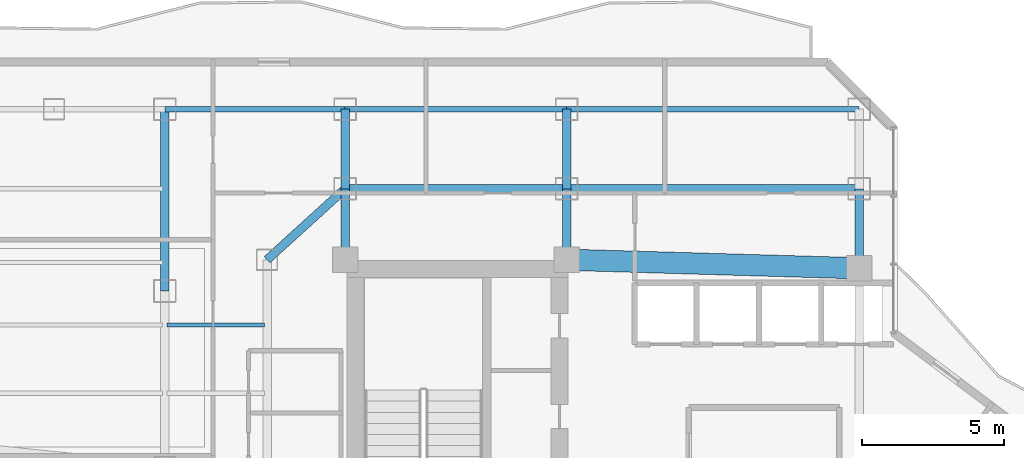
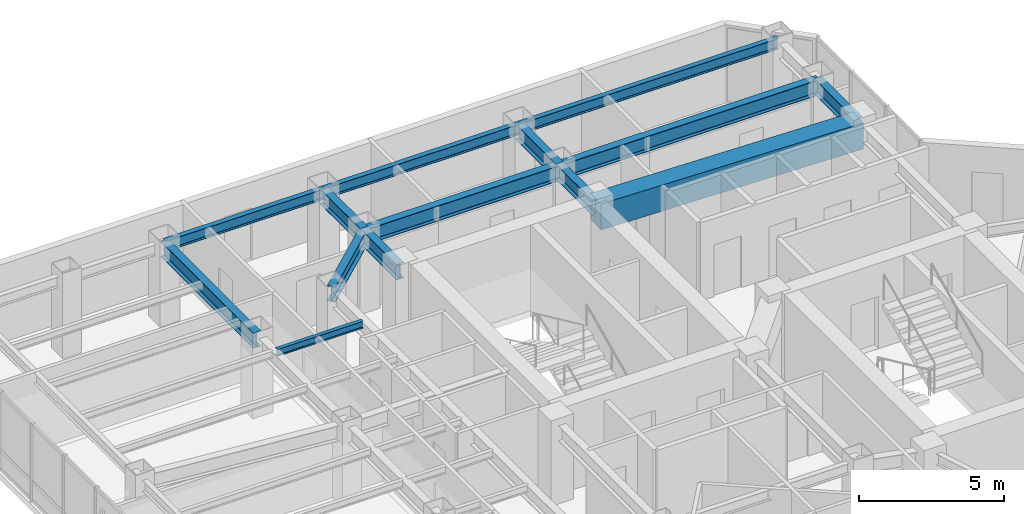
# One storey, part 21 of 29: 14 beams.
"""IFC4 building model written with IfcOpenShell, lengths in metres."""

from ifc_helpers import new_model, si_unit, direction, frame, origin, origin_2d, place, context, subcontext, project, spatial, rectangle, i_section, extrude, material, material_profile, profile_set, type_object, element, save


model = new_model("IFC4")

# Units and contexts
model_context = context("Model", 3, precision=1e-05, world=origin(), true_north=direction((0.0, 1.0)))
body_context = subcontext(model_context, "Body", "Model", "MODEL_VIEW")
ifc_project = project(units=[si_unit("LENGTHUNIT", "METRE"), si_unit("AREAUNIT", "SQUARE_METRE"), si_unit("VOLUMEUNIT", "CUBIC_METRE"), si_unit("PLANEANGLEUNIT", "RADIAN"), si_unit("MASSUNIT", "GRAM", prefix="KILO")], contexts=[model_context])

# Site, building, storey
site_placement = place(None, origin())
site = spatial("IfcSite", under=ifc_project, at=site_placement, CompositionType="ELEMENT")
building_placement = place(site_placement, origin())
building = spatial("IfcBuilding", under=site, at=building_placement, Name="Hatsunagi Terrace Concourse", CompositionType="ELEMENT")
storey_placement = place(building_placement, frame((0.0, 0.0, 178.050048828125)))
storey = spatial("IfcBuildingStorey", under=building, at=storey_placement, Name="L47", CompositionType="ELEMENT", Elevation=178.050048828125)

# Beams
ifc_material_1 = material(Name="Concrete Fc48", Category="concrete")
ifc_material_profile_1 = material_profile(ifc_material_1, rectangle(XDim=0.75, YDim=1.10009765625, at=origin_2d()), Name="RC-750x1100")
ifc_profile_set_1 = profile_set([ifc_material_profile_1], Name="Concrete Fc48")
beam_type_1 = type_object("IfcBeamType", Name="CoreCouplingBeam_RC_750x1100", PredefinedType="BEAM", material=ifc_profile_set_1)
beam_1_placement = place(storey_placement, frame((33.35009765625, 43.300048828125, 2.75), z_axis=(0.999575947545, -0.029119153303, 0.0), x_axis=(0.029119153303, 0.999575947545, 0.0)))
element("IfcBeam", 1, at=beam_1_placement, inside=storey, type_object=beam_type_1, Name="Beam CB-02 CB-L47-2", PredefinedType="BEAM", context=body_context, shape_type="SweptSolid", body=[
    extrude(rectangle(XDim=0.75, YDim=1.10009765625, at=origin_2d()), origin(), (0.0, 0.0, 1.0), 10.30419921875),
])
ifc_material_2 = material(Name="Steel SN490B", Category="steel")
ifc_material_profile_2 = material_profile(ifc_material_2, i_section(OverallWidth=0.14990234375, OverallDepth=0.300048828125, WebThickness=0.006591796875, FlangeThickness=0.009033203125, FilletRadius=0.010986328125, at=origin_2d()), Name="H-300x150x6.5x9")
ifc_profile_set_2 = profile_set([ifc_material_profile_2], Name="Steel SN490B")
beam_type_2 = type_object("IfcBeamType", Name="OfficeJoist_H_300x150", PredefinedType="JOIST", material=ifc_profile_set_2)
beam_2_placement = place(storey_placement, frame((19.284912109375, 41.0, 3.14990234375), z_axis=(1.0, 0.0, 0.0), x_axis=(0.0, 1.0, 0.0)))
element("IfcBeam", 2, at=beam_2_placement, inside=storey, type_object=beam_type_2, Name="Beam J-03 J-L47-W-19-410", PredefinedType="JOIST", context=body_context, shape_type="SweptSolid", body=[
    extrude(i_section(OverallWidth=0.14990234375, OverallDepth=0.300048828125, WebThickness=0.006591796875, FlangeThickness=0.009033203125, FilletRadius=0.010986328125, at=origin_2d()), origin(), (0.0, 0.0, 1.0), 3.43017578125),
])
ifc_material_3 = material(Name="Steel SN490B", Category="steel")
ifc_material_profile_3 = material_profile(ifc_material_3, i_section(OverallWidth=0.300048828125, OverallDepth=0.64990234375, WebThickness=0.012939453125, FlangeThickness=0.02197265625, FilletRadius=0.01806640625, at=origin_2d()), Name="H-650x300x13x22")
ifc_profile_set_3 = profile_set([ifc_material_profile_3], Name="Steel SN490B")
beam_type_3 = type_object("IfcBeamType", Name="OfficeLowGirder_H_650x300", PredefinedType="BEAM", material=ifc_profile_set_3)
for number, where, z_axis, x_axis, name in (
    (3, (25.550048828125, 43.300048828125, 2.974853515625), (0.0, 1.0, 0.0), (-1.0, 0.0, 0.0), "Beam G-05 BM-L47-CN1"),
    (4, (33.35009765625, 43.300048828125, 2.974853515625), (0.0, 1.0, 0.0), (-1.0, 0.0, 0.0), "Beam G-05 BM-L47-CN2"),
):
    element("IfcBeam", number, at=place(storey_placement, frame(where, z_axis=z_axis, x_axis=x_axis)), inside=storey, type_object=beam_type_3, Name=name, PredefinedType="BEAM", context=body_context, shape_type="SweptSolid", body=[
        extrude(i_section(OverallWidth=0.300048828125, OverallDepth=0.64990234375, WebThickness=0.012939453125, FlangeThickness=0.02197265625, FilletRadius=0.01806640625, at=origin_2d()), origin(), (0.0, 0.0, 1.0), 2.5),
    ])
beam_3_placement = place(storey_placement, frame((43.64990234375, 43.0, 2.974853515625), z_axis=(0.0, 1.0, 0.0), x_axis=(-1.0, 0.0, 0.0)))
element("IfcBeam", 5, at=beam_3_placement, inside=storey, type_object=beam_type_3, Name="Beam G-05 BM-L47-CN3", PredefinedType="BEAM", context=body_context, shape_type="SweptSolid", body=[
    extrude(i_section(OverallWidth=0.300048828125, OverallDepth=0.64990234375, WebThickness=0.012939453125, FlangeThickness=0.02197265625, FilletRadius=0.01806640625, at=origin_2d()), origin(), (0.0, 0.0, 1.0), 2.800048828125),
])
beam_4_placement = place(storey_placement, frame((25.550048828125, 45.800048828125, 2.974853515625), z_axis=(1.0, 0.0, 0.0), x_axis=(0.0, 1.0, 0.0)))
element("IfcBeam", 6, at=beam_4_placement, inside=storey, type_object=beam_type_3, Name="Beam G-05 BM-L47-CNEW1", PredefinedType="BEAM", context=body_context, shape_type="SweptSolid", body=[
    extrude(i_section(OverallWidth=0.300048828125, OverallDepth=0.64990234375, WebThickness=0.012939453125, FlangeThickness=0.02197265625, FilletRadius=0.01806640625, at=origin_2d()), origin(), (0.0, 0.0, 1.0), 7.800048828125),
])
beam_5_placement = place(storey_placement, frame((33.35009765625, 45.800048828125, 2.974853515625), z_axis=(1.0, 0.0, 0.0), x_axis=(0.0, 1.0, 0.0)))
element("IfcBeam", 7, at=beam_5_placement, inside=storey, type_object=beam_type_3, Name="Beam G-05 BM-L47-CNEW2", PredefinedType="BEAM", context=body_context, shape_type="SweptSolid", body=[
    extrude(i_section(OverallWidth=0.300048828125, OverallDepth=0.64990234375, WebThickness=0.012939453125, FlangeThickness=0.02197265625, FilletRadius=0.01806640625, at=origin_2d()), origin(), (0.0, 0.0, 1.0), 10.2998046875),
])
for number, where, z_axis, x_axis, name in (
    (8, (25.550048828125, 45.800048828125, 2.974853515625), (0.0, 1.0, 0.0), (-1.0, 0.0, 0.0), "Beam G-05 BM-L47-KN-WN4"),
    (9, (33.35009765625, 45.800048828125, 2.974853515625), (0.0, 1.0, 0.0), (-1.0, 0.0, 0.0), "Beam G-05 BM-L47-KN-WN5"),
):
    element("IfcBeam", number, at=place(storey_placement, frame(where, z_axis=z_axis, x_axis=x_axis)), inside=storey, type_object=beam_type_3, Name=name, PredefinedType="BEAM", context=body_context, shape_type="SweptSolid", body=[
        extrude(i_section(OverallWidth=0.300048828125, OverallDepth=0.64990234375, WebThickness=0.012939453125, FlangeThickness=0.02197265625, FilletRadius=0.01806640625, at=origin_2d()), origin(), (0.0, 0.0, 1.0), 2.800048828125),
    ])
beam_6_placement = place(storey_placement, frame((22.800048828125, 43.300048828125, 2.974853515625), z_axis=(0.739940073396, 0.672672793996, 0.0), x_axis=(-0.672672793996, 0.739940073396, 0.0)))
element("IfcBeam", 10, at=beam_6_placement, inside=storey, type_object=beam_type_3, Name="Beam G-05 BM-L47-CWEW-N", PredefinedType="BEAM", context=body_context, shape_type="SweptSolid", body=[
    extrude(i_section(OverallWidth=0.300048828125, OverallDepth=0.64990234375, WebThickness=0.012939453125, FlangeThickness=0.02197265625, FilletRadius=0.01806640625, at=origin_2d()), origin(), (0.0, 0.0, 1.0), 3.716552734375),
])
beam_7_placement = place(storey_placement, frame((19.199951171875, 42.199951171875, 2.974853515625), z_axis=(0.0, 1.0, 0.0), x_axis=(-1.0, 0.0, 0.0)))
element("IfcBeam", 11, at=beam_7_placement, inside=storey, type_object=beam_type_3, Name="Beam G-05 BM-L47-NS-19-42", PredefinedType="BEAM", context=body_context, shape_type="SweptSolid", body=[
    extrude(i_section(OverallWidth=0.300048828125, OverallDepth=0.64990234375, WebThickness=0.012939453125, FlangeThickness=0.02197265625, FilletRadius=0.01806640625, at=origin_2d()), origin(), (0.0, 0.0, 1.0), 6.400146484375),
])
ifc_material_4 = material(Name="Steel SN490B", Category="steel")
ifc_material_profile_4 = material_profile(ifc_material_4, i_section(OverallWidth=0.199951171875, OverallDepth=0.449951171875, WebThickness=0.009033203125, FlangeThickness=0.013916015625, FilletRadius=0.01611328125, at=origin_2d()), Name="H-450x200x9x14")
ifc_profile_set_4 = profile_set([ifc_material_profile_4], Name="Steel SN490B")
beam_type_4 = type_object("IfcBeamType", Name="PerimeterSpandrel_H_450x200", PredefinedType="SPANDREL", material=ifc_profile_set_4)
beam_8_placement = place(storey_placement, frame((19.199951171875, 48.60009765625, 3.074951171875), z_axis=(1.0, 0.0, 0.0), x_axis=(0.0, 1.0, 0.0)))
element("IfcBeam", 12, at=beam_8_placement, inside=storey, type_object=beam_type_4, Name="Beam SP-02 BM-L47-WN-19", PredefinedType="SPANDREL", context=body_context, shape_type="SweptSolid", body=[
    extrude(i_section(OverallWidth=0.199951171875, OverallDepth=0.449951171875, WebThickness=0.009033203125, FlangeThickness=0.013916015625, FilletRadius=0.01611328125, at=origin_2d()), origin(), (0.0, 0.0, 1.0), 6.35009765625),
])
beam_9_placement = place(storey_placement, frame((25.550048828125, 48.60009765625, 3.074951171875), z_axis=(1.0, 0.0, 0.0), x_axis=(0.0, 1.0, 0.0)))
element("IfcBeam", 13, at=beam_9_placement, inside=storey, type_object=beam_type_4, Name="Beam SP-02 BM-L47-WN-25", PredefinedType="SPANDREL", context=body_context, shape_type="SweptSolid", body=[
    extrude(i_section(OverallWidth=0.199951171875, OverallDepth=0.449951171875, WebThickness=0.009033203125, FlangeThickness=0.013916015625, FilletRadius=0.01611328125, at=origin_2d()), origin(), (0.0, 0.0, 1.0), 7.800048828125),
])
beam_10_placement = place(storey_placement, frame((33.35009765625, 48.60009765625, 3.074951171875), z_axis=(1.0, 0.0, 0.0), x_axis=(0.0, 1.0, 0.0)))
element("IfcBeam", 14, at=beam_10_placement, inside=storey, type_object=beam_type_4, Name="Beam SP-02 BM-L47-WN-33", PredefinedType="SPANDREL", context=body_context, shape_type="SweptSolid", body=[
    extrude(i_section(OverallWidth=0.199951171875, OverallDepth=0.449951171875, WebThickness=0.009033203125, FlangeThickness=0.013916015625, FilletRadius=0.01611328125, at=origin_2d()), origin(), (0.0, 0.0, 1.0), 10.2998046875),
])

save(model, "model.ifc")
